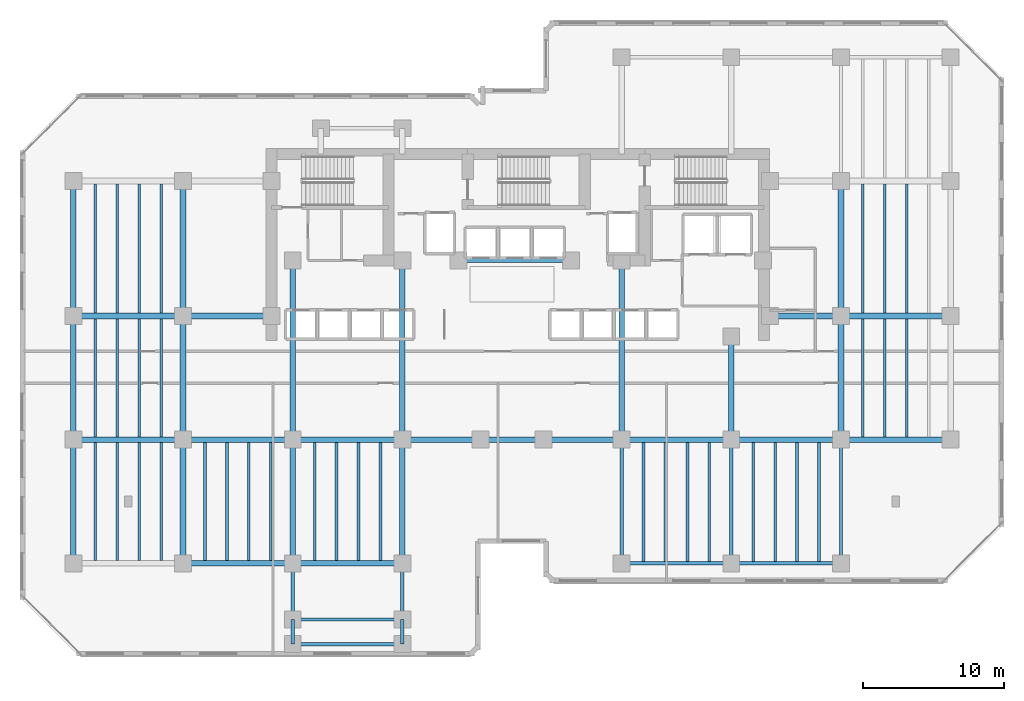
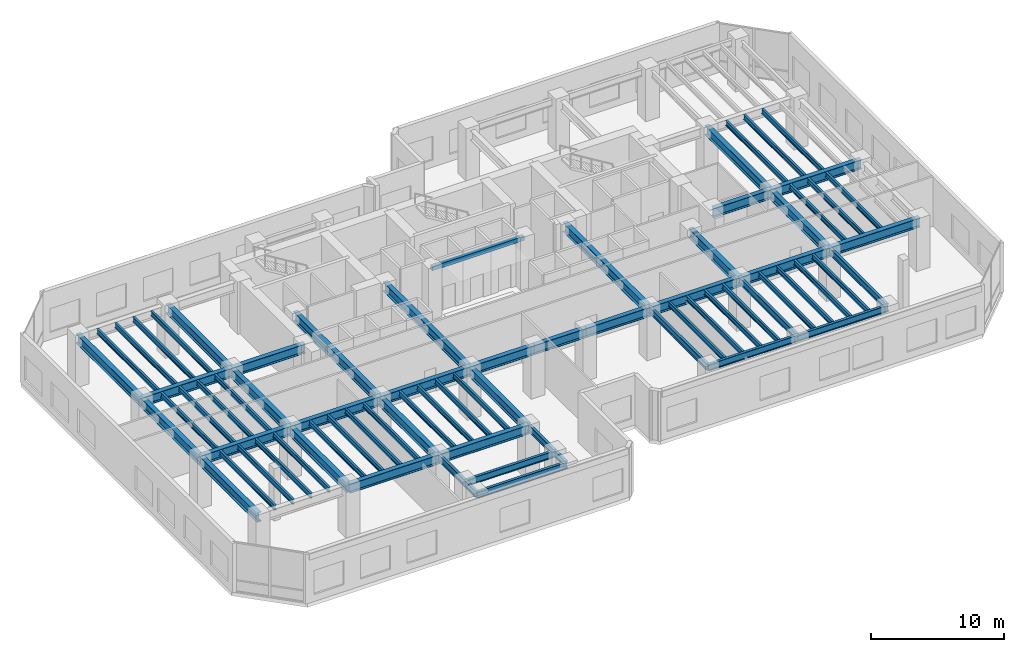
# One storey, part 3 of 17: 75 beams.
"""IFC4 building model written with IfcOpenShell, lengths in metres."""

from ifc_helpers import new_model, si_unit, direction, frame, origin, origin_2d, place, context, subcontext, project, spatial, rectangle, i_section, extrude, material, material_profile, profile_set, type_object, element, save


model = new_model("IFC4")

# Units and contexts
model_context = context("Model", 3, precision=1e-05, world=origin(), true_north=direction((0.0, 1.0)))
body_context = subcontext(model_context, "Body", "Model", "MODEL_VIEW")
ifc_project = project(units=[si_unit("LENGTHUNIT", "METRE"), si_unit("AREAUNIT", "SQUARE_METRE"), si_unit("VOLUMEUNIT", "CUBIC_METRE"), si_unit("PLANEANGLEUNIT", "RADIAN"), si_unit("MASSUNIT", "GRAM", prefix="KILO")], contexts=[model_context])

# Site, building, storey
site_placement = place(None, origin())
site = spatial("IfcSite", under=ifc_project, at=site_placement, CompositionType="ELEMENT")
building_placement = place(site_placement, origin())
building = spatial("IfcBuilding", under=site, at=building_placement, Name="Kestravale Grand Hotel", CompositionType="ELEMENT")
storey_placement = place(building_placement, frame((0.0, 0.0, 129.800048828125)))
storey = spatial("IfcBuildingStorey", under=building, at=storey_placement, Name="L32", CompositionType="ELEMENT", Elevation=129.800048828125)

# Beams
ifc_material_1 = material(Name="Steel ASTM A992 Grade 50", Category="steel")
ifc_material_profile_1 = material_profile(ifc_material_1, i_section(OverallWidth=0.19091796875, OverallDepth=0.45703125, WebThickness=0.009033203125, FlangeThickness=0.014404296875, FilletRadius=0.015380859375, at=origin_2d()))
ifc_profile_set_1 = profile_set([ifc_material_profile_1], Name="Steel ASTM A992 Grade 50")
beam_type_1 = type_object("IfcBeamType", Name="B-FLR-JST18", PredefinedType="JOIST", material=ifc_profile_set_1)
for number, where, z_axis, x_axis, name in (
    (1, (9.360107421875, 11.400390625, 4.281494140625), (0.0, 1.0, 0.0), (-1.0, 0.0, 0.0), "L32 floor joist 2-3/C-D #1"),
    (2, (10.919921875, 11.400390625, 4.281494140625), (0.0, 1.0, 0.0), (-1.0, 0.0, 0.0), "L32 floor joist 2-3/C-D #2"),
    (3, (12.47998046875, 11.400390625, 4.281494140625), (0.0, 1.0, 0.0), (-1.0, 0.0, 0.0), "L32 floor joist 2-3/C-D #3"),
    (4, (14.0400390625, 11.400390625, 4.281494140625), (0.0, 1.0, 0.0), (-1.0, 0.0, 0.0), "L32 floor joist 2-3/C-D #4"),
    (5, (9.360107421875, 20.200439453125, 4.281494140625), (0.0, 1.0, 0.0), (-1.0, 0.0, 0.0), "L32 floor joist 2-3/D-E #1"),
    (6, (10.919921875, 20.200439453125, 4.281494140625), (0.0, 1.0, 0.0), (-1.0, 0.0, 0.0), "L32 floor joist 2-3/D-E #2"),
    (7, (12.47998046875, 20.200439453125, 4.281494140625), (0.0, 1.0, 0.0), (-1.0, 0.0, 0.0), "L32 floor joist 2-3/D-E #3"),
    (8, (14.0400390625, 20.200439453125, 4.281494140625), (0.0, 1.0, 0.0), (-1.0, 0.0, 0.0), "L32 floor joist 2-3/D-E #4"),
):
    element("IfcBeam", number, at=place(storey_placement, frame(where, z_axis=z_axis, x_axis=x_axis)), inside=storey, type_object=beam_type_1, Name=name, PredefinedType="JOIST", context=body_context, shape_type="SweptSolid", body=[
        extrude(i_section(OverallWidth=0.19091796875, OverallDepth=0.45703125, WebThickness=0.009033203125, FlangeThickness=0.014404296875, FilletRadius=0.015380859375, at=origin_2d()), origin(), (0.0, 0.0, 1.0), 8.399169921875),
    ])
for number, where, z_axis, x_axis, name in (
    (9, (9.360107421875, 29.00048828125, 4.281494140625), (0.0, 1.0, 0.0), (-1.0, 0.0, 0.0), "L32 floor joist 2-3/E-F #1"),
    (10, (10.919921875, 29.00048828125, 4.281494140625), (0.0, 1.0, 0.0), (-1.0, 0.0, 0.0), "L32 floor joist 2-3/E-F #2"),
    (11, (12.47998046875, 29.00048828125, 4.281494140625), (0.0, 1.0, 0.0), (-1.0, 0.0, 0.0), "L32 floor joist 2-3/E-F #3"),
    (12, (14.0400390625, 29.00048828125, 4.281494140625), (0.0, 1.0, 0.0), (-1.0, 0.0, 0.0), "L32 floor joist 2-3/E-F #4"),
):
    element("IfcBeam", number, at=place(storey_placement, frame(where, z_axis=z_axis, x_axis=x_axis)), inside=storey, type_object=beam_type_1, Name=name, PredefinedType="JOIST", context=body_context, shape_type="SweptSolid", body=[
        extrude(i_section(OverallWidth=0.19091796875, OverallDepth=0.45703125, WebThickness=0.009033203125, FlangeThickness=0.014404296875, FilletRadius=0.015380859375, at=origin_2d()), origin(), (0.0, 0.0, 1.0), 9.198974609375),
    ])
for number, where, z_axis, x_axis, name in (
    (13, (17.159912109375, 11.400390625, 4.281494140625), (0.0, 1.0, 0.0), (-1.0, 0.0, 0.0), "L32 floor joist 3-4/C-D #1"),
    (14, (18.719970703125, 11.400390625, 4.281494140625), (0.0, 1.0, 0.0), (-1.0, 0.0, 0.0), "L32 floor joist 3-4/C-D #2"),
    (15, (20.280029296875, 11.400390625, 4.281494140625), (0.0, 1.0, 0.0), (-1.0, 0.0, 0.0), "L32 floor joist 3-4/C-D #3"),
    (16, (21.840087890625, 11.400390625, 4.281494140625), (0.0, 1.0, 0.0), (-1.0, 0.0, 0.0), "L32 floor joist 3-4/C-D #4"),
    (17, (24.9599609375, 11.400390625, 4.281494140625), (0.0, 1.0, 0.0), (-1.0, 0.0, 0.0), "L32 floor joist 4-5/C-D #1"),
    (18, (26.52001953125, 11.400390625, 4.281494140625), (0.0, 1.0, 0.0), (-1.0, 0.0, 0.0), "L32 floor joist 4-5/C-D #2"),
    (19, (28.080078125, 11.400390625, 4.281494140625), (0.0, 1.0, 0.0), (-1.0, 0.0, 0.0), "L32 floor joist 4-5/C-D #3"),
    (20, (29.639892578125, 11.400390625, 4.281494140625), (0.0, 1.0, 0.0), (-1.0, 0.0, 0.0), "L32 floor joist 4-5/C-D #4"),
):
    element("IfcBeam", number, at=place(storey_placement, frame(where, z_axis=z_axis, x_axis=x_axis)), inside=storey, type_object=beam_type_1, Name=name, PredefinedType="JOIST", context=body_context, shape_type="SweptSolid", body=[
        extrude(i_section(OverallWidth=0.19091796875, OverallDepth=0.45703125, WebThickness=0.009033203125, FlangeThickness=0.014404296875, FilletRadius=0.015380859375, at=origin_2d()), origin(), (0.0, 0.0, 1.0), 8.399169921875),
    ])
for number, where, z_axis, x_axis, name in (
    (21, (48.360107421875, 11.314453125, 4.281494140625), (0.0, 1.0, 0.0), (-1.0, 0.0, 0.0), "L32 floor joist 8-9/C-D #1"),
    (22, (49.919921875, 11.314453125, 4.281494140625), (0.0, 1.0, 0.0), (-1.0, 0.0, 0.0), "L32 floor joist 8-9/C-D #2"),
    (23, (51.47998046875, 11.314453125, 4.281494140625), (0.0, 1.0, 0.0), (-1.0, 0.0, 0.0), "L32 floor joist 8-9/C-D #3"),
    (24, (53.0400390625, 11.314453125, 4.281494140625), (0.0, 1.0, 0.0), (-1.0, 0.0, 0.0), "L32 floor joist 8-9/C-D #4"),
    (25, (56.159912109375, 11.314453125, 4.281494140625), (0.0, 1.0, 0.0), (-1.0, 0.0, 0.0), "L32 floor joist 9-10/C-D #1"),
    (26, (57.719970703125, 11.314453125, 4.281494140625), (0.0, 1.0, 0.0), (-1.0, 0.0, 0.0), "L32 floor joist 9-10/C-D #2"),
    (27, (59.280029296875, 11.314453125, 4.281494140625), (0.0, 1.0, 0.0), (-1.0, 0.0, 0.0), "L32 floor joist 9-10/C-D #3"),
    (28, (60.840087890625, 11.314453125, 4.281494140625), (0.0, 1.0, 0.0), (-1.0, 0.0, 0.0), "L32 floor joist 9-10/C-D #4"),
):
    element("IfcBeam", number, at=place(storey_placement, frame(where, z_axis=z_axis, x_axis=x_axis)), inside=storey, type_object=beam_type_1, Name=name, PredefinedType="JOIST", context=body_context, shape_type="SweptSolid", body=[
        extrude(i_section(OverallWidth=0.19091796875, OverallDepth=0.45703125, WebThickness=0.009033203125, FlangeThickness=0.014404296875, FilletRadius=0.015380859375, at=origin_2d()), origin(), (0.0, 0.0, 1.0), 8.485107421875),
    ])
for number, where, z_axis, x_axis, name in (
    (29, (63.9599609375, 20.200439453125, 4.281494140625), (0.0, 1.0, 0.0), (-1.0, 0.0, 0.0), "L32 floor joist 10-11/D-E #1"),
    (30, (65.52001953125, 20.200439453125, 4.281494140625), (0.0, 1.0, 0.0), (-1.0, 0.0, 0.0), "L32 floor joist 10-11/D-E #2"),
    (31, (67.080078125, 20.200439453125, 4.281494140625), (0.0, 1.0, 0.0), (-1.0, 0.0, 0.0), "L32 floor joist 10-11/D-E #3"),
):
    element("IfcBeam", number, at=place(storey_placement, frame(where, z_axis=z_axis, x_axis=x_axis)), inside=storey, type_object=beam_type_1, Name=name, PredefinedType="JOIST", context=body_context, shape_type="SweptSolid", body=[
        extrude(i_section(OverallWidth=0.19091796875, OverallDepth=0.45703125, WebThickness=0.009033203125, FlangeThickness=0.014404296875, FilletRadius=0.015380859375, at=origin_2d()), origin(), (0.0, 0.0, 1.0), 8.399169921875),
    ])
for number, where, z_axis, x_axis, name in (
    (32, (63.9599609375, 29.00048828125, 4.281494140625), (0.0, 1.0, 0.0), (-1.0, 0.0, 0.0), "L32 floor joist 10-11/E-F #1"),
    (33, (65.52001953125, 29.00048828125, 4.281494140625), (0.0, 1.0, 0.0), (-1.0, 0.0, 0.0), "L32 floor joist 10-11/E-F #2"),
    (34, (67.080078125, 29.00048828125, 4.281494140625), (0.0, 1.0, 0.0), (-1.0, 0.0, 0.0), "L32 floor joist 10-11/E-F #3"),
):
    element("IfcBeam", number, at=place(storey_placement, frame(where, z_axis=z_axis, x_axis=x_axis)), inside=storey, type_object=beam_type_1, Name=name, PredefinedType="JOIST", context=body_context, shape_type="SweptSolid", body=[
        extrude(i_section(OverallWidth=0.19091796875, OverallDepth=0.45703125, WebThickness=0.009033203125, FlangeThickness=0.014404296875, FilletRadius=0.015380859375, at=origin_2d()), origin(), (0.0, 0.0, 1.0), 9.198974609375),
    ])
ifc_material_2 = material(Name="Concrete f'c 45 MPa", Category="concrete")
ifc_material_profile_2 = material_profile(ifc_material_2, rectangle(XDim=0.300048828125, YDim=0.39990234375, at=origin_2d()))
ifc_profile_set_2 = profile_set([ifc_material_profile_2], Name="Concrete f'c 45 MPa")
beam_type_2 = type_object("IfcBeamType", Name="B-FLR-LNT400", PredefinedType="LINTEL", material=ifc_profile_set_2)
beam_1_placement = place(storey_placement, frame((35.199951171875, 32.75, 4.31005859375), z_axis=(1.0, 0.0, 0.0), x_axis=(0.0, 1.0, 0.0)))
element("IfcBeam", 35, at=beam_1_placement, inside=storey, type_object=beam_type_2, Name="L32 core portal header lintel", PredefinedType="LINTEL", context=body_context, shape_type="SweptSolid", body=[
    extrude(rectangle(XDim=0.300048828125, YDim=0.39990234375, at=origin_2d()), origin(), (0.0, 0.0, 1.0), 8.0),
])
ifc_material_3 = material(Name="Steel ASTM A992 Grade 50", Category="steel")
ifc_material_profile_3 = material_profile(ifc_material_3, i_section(OverallWidth=0.22900390625, OverallDepth=0.612060546875, WebThickness=0.011962890625, FlangeThickness=0.01953125, FilletRadius=0.019287109375, at=origin_2d()))
ifc_profile_set_3 = profile_set([ifc_material_profile_3], Name="Steel ASTM A992 Grade 50")
beam_type_3 = type_object("IfcBeamType", Name="B-FLR-W24B", PredefinedType="SPANDREL", material=ifc_profile_set_3)
beam_2_placement = place(storey_placement, frame((46.800048828125, 11.199951171875, 4.203857421875), z_axis=(1.0, 0.0, 0.0), x_axis=(0.0, 1.0, 0.0)))
element("IfcBeam", 36, at=beam_2_placement, inside=storey, type_object=beam_type_3, Name="L32 spandrel C:8-9", PredefinedType="SPANDREL", context=body_context, shape_type="SweptSolid", body=[
    extrude(i_section(OverallWidth=0.22900390625, OverallDepth=0.612060546875, WebThickness=0.011962890625, FlangeThickness=0.01953125, FilletRadius=0.019287109375, at=origin_2d()), origin(), (0.0, 0.0, 1.0), 7.800048828125),
])
beam_3_placement = place(storey_placement, frame((54.60009765625, 11.199951171875, 4.203857421875), z_axis=(1.0, 0.0, 0.0), x_axis=(0.0, 1.0, 0.0)))
element("IfcBeam", 37, at=beam_3_placement, inside=storey, type_object=beam_type_3, Name="L32 spandrel C:9-10", PredefinedType="SPANDREL", context=body_context, shape_type="SweptSolid", body=[
    extrude(i_section(OverallWidth=0.22900390625, OverallDepth=0.612060546875, WebThickness=0.011962890625, FlangeThickness=0.01953125, FilletRadius=0.019287109375, at=origin_2d()), origin(), (0.0, 0.0, 1.0), 7.7998046875),
])
for number, where, z_axis, x_axis, name in (
    (38, (23.39990234375, 5.449951171875, 4.203857421875), (1.0, 0.0, 0.0), (0.0, 1.0, 0.0), "L32 perimeter tie spandrel B1S:4-5"),
    (39, (23.39990234375, 7.199951171875, 4.203857421875), (1.0, 0.0, 0.0), (0.0, 1.0, 0.0), "L32 perimeter tie spandrel BS:4-5"),
):
    element("IfcBeam", number, at=place(storey_placement, frame(where, z_axis=z_axis, x_axis=x_axis)), inside=storey, type_object=beam_type_3, Name=name, PredefinedType="SPANDREL", context=body_context, shape_type="SweptSolid", body=[
        extrude(i_section(OverallWidth=0.22900390625, OverallDepth=0.612060546875, WebThickness=0.011962890625, FlangeThickness=0.01953125, FilletRadius=0.019287109375, at=origin_2d()), origin(), (0.0, 0.0, 1.0), 7.800048828125),
    ])
beam_4_placement = place(storey_placement, frame((23.39990234375, 5.449951171875, 4.203857421875), z_axis=(0.0, 1.0, 0.0), x_axis=(-1.0, 0.0, 0.0)))
element("IfcBeam", 40, at=beam_4_placement, inside=storey, type_object=beam_type_3, Name="L32 spandrel 4:B1S-BS", PredefinedType="SPANDREL", context=body_context, shape_type="SweptSolid", body=[
    extrude(i_section(OverallWidth=0.22900390625, OverallDepth=0.612060546875, WebThickness=0.011962890625, FlangeThickness=0.01953125, FilletRadius=0.019287109375, at=origin_2d()), origin(), (0.0, 0.0, 1.0), 1.75),
])
beam_5_placement = place(storey_placement, frame((23.39990234375, 7.199951171875, 4.203857421875), z_axis=(0.0, 1.0, 0.0), x_axis=(-1.0, 0.0, 0.0)))
element("IfcBeam", 41, at=beam_5_placement, inside=storey, type_object=beam_type_3, Name="L32 spandrel 4:BS-C", PredefinedType="SPANDREL", context=body_context, shape_type="SweptSolid", body=[
    extrude(i_section(OverallWidth=0.22900390625, OverallDepth=0.612060546875, WebThickness=0.011962890625, FlangeThickness=0.01953125, FilletRadius=0.019287109375, at=origin_2d()), origin(), (0.0, 0.0, 1.0), 4.0),
])
beam_6_placement = place(storey_placement, frame((31.199951171875, 5.449951171875, 4.203857421875), z_axis=(0.0, 1.0, 0.0), x_axis=(-1.0, 0.0, 0.0)))
element("IfcBeam", 42, at=beam_6_placement, inside=storey, type_object=beam_type_3, Name="L32 spandrel 5:B1S-BS", PredefinedType="SPANDREL", context=body_context, shape_type="SweptSolid", body=[
    extrude(i_section(OverallWidth=0.22900390625, OverallDepth=0.612060546875, WebThickness=0.011962890625, FlangeThickness=0.01953125, FilletRadius=0.019287109375, at=origin_2d()), origin(), (0.0, 0.0, 1.0), 1.75),
])
beam_7_placement = place(storey_placement, frame((31.199951171875, 7.199951171875, 4.203857421875), z_axis=(0.0, 1.0, 0.0), x_axis=(-1.0, 0.0, 0.0)))
element("IfcBeam", 43, at=beam_7_placement, inside=storey, type_object=beam_type_3, Name="L32 spandrel 5:BS-C", PredefinedType="SPANDREL", context=body_context, shape_type="SweptSolid", body=[
    extrude(i_section(OverallWidth=0.22900390625, OverallDepth=0.612060546875, WebThickness=0.011962890625, FlangeThickness=0.01953125, FilletRadius=0.019287109375, at=origin_2d()), origin(), (0.0, 0.0, 1.0), 4.0),
])
for number, where, z_axis, x_axis, name in (
    (44, (46.800048828125, 11.199951171875, 4.203857421875), (0.0, 1.0, 0.0), (-1.0, 0.0, 0.0), "L32 spandrel 8:C-D"),
    (45, (54.60009765625, 11.199951171875, 4.203857421875), (0.0, 1.0, 0.0), (-1.0, 0.0, 0.0), "L32 spandrel 9:C-D"),
    (46, (62.39990234375, 11.199951171875, 4.203857421875), (0.0, 1.0, 0.0), (-1.0, 0.0, 0.0), "L32 spandrel 10:C-D"),
):
    element("IfcBeam", number, at=place(storey_placement, frame(where, z_axis=z_axis, x_axis=x_axis)), inside=storey, type_object=beam_type_3, Name=name, PredefinedType="SPANDREL", context=body_context, shape_type="SweptSolid", body=[
        extrude(i_section(OverallWidth=0.22900390625, OverallDepth=0.612060546875, WebThickness=0.011962890625, FlangeThickness=0.01953125, FilletRadius=0.019287109375, at=origin_2d()), origin(), (0.0, 0.0, 1.0), 8.800048828125),
    ])
ifc_material_4 = material(Name="Steel ASTM A992 Grade 50", Category="steel")
ifc_material_profile_4 = material_profile(ifc_material_4, i_section(OverallWidth=0.40087890625, OverallDepth=0.861083984375, WebThickness=0.019775390625, FlangeThickness=0.032470703125, FilletRadius=0.0234375, at=origin_2d()))
ifc_profile_set_4 = profile_set([ifc_material_profile_4], Name="Steel ASTM A992 Grade 50")
beam_type_4 = type_object("IfcBeamType", Name="B-GRD-W33", PredefinedType="BEAM", material=ifc_profile_set_4)
beam_8_placement = place(storey_placement, frame((15.60009765625, 11.199951171875, 4.079345703125), z_axis=(1.0, 0.0, 0.0), x_axis=(0.0, 1.0, 0.0)))
element("IfcBeam", 47, at=beam_8_placement, inside=storey, type_object=beam_type_4, Name="L32 girder C:3-4", PredefinedType="BEAM", context=body_context, shape_type="SweptSolid", body=[
    extrude(i_section(OverallWidth=0.40087890625, OverallDepth=0.861083984375, WebThickness=0.019775390625, FlangeThickness=0.032470703125, FilletRadius=0.0234375, at=origin_2d()), origin(), (0.0, 0.0, 1.0), 7.7998046875),
])
for number, where, z_axis, x_axis, name in (
    (48, (23.39990234375, 11.199951171875, 4.079345703125), (1.0, 0.0, 0.0), (0.0, 1.0, 0.0), "L32 girder C:4-5"),
    (49, (7.800048828125, 20.0, 4.079345703125), (1.0, 0.0, 0.0), (0.0, 1.0, 0.0), "L32 girder D:2-3"),
):
    element("IfcBeam", number, at=place(storey_placement, frame(where, z_axis=z_axis, x_axis=x_axis)), inside=storey, type_object=beam_type_4, Name=name, PredefinedType="BEAM", context=body_context, shape_type="SweptSolid", body=[
        extrude(i_section(OverallWidth=0.40087890625, OverallDepth=0.861083984375, WebThickness=0.019775390625, FlangeThickness=0.032470703125, FilletRadius=0.0234375, at=origin_2d()), origin(), (0.0, 0.0, 1.0), 7.800048828125),
    ])
beam_9_placement = place(storey_placement, frame((15.60009765625, 20.0, 4.079345703125), z_axis=(1.0, 0.0, 0.0), x_axis=(0.0, 1.0, 0.0)))
element("IfcBeam", 50, at=beam_9_placement, inside=storey, type_object=beam_type_4, Name="L32 girder D:3-4", PredefinedType="BEAM", context=body_context, shape_type="SweptSolid", body=[
    extrude(i_section(OverallWidth=0.40087890625, OverallDepth=0.861083984375, WebThickness=0.019775390625, FlangeThickness=0.032470703125, FilletRadius=0.0234375, at=origin_2d()), origin(), (0.0, 0.0, 1.0), 7.7998046875),
])
beam_10_placement = place(storey_placement, frame((23.39990234375, 20.0, 4.079345703125), z_axis=(1.0, 0.0, 0.0), x_axis=(0.0, 1.0, 0.0)))
element("IfcBeam", 51, at=beam_10_placement, inside=storey, type_object=beam_type_4, Name="L32 girder D:4-5", PredefinedType="BEAM", context=body_context, shape_type="SweptSolid", body=[
    extrude(i_section(OverallWidth=0.40087890625, OverallDepth=0.861083984375, WebThickness=0.019775390625, FlangeThickness=0.032470703125, FilletRadius=0.0234375, at=origin_2d()), origin(), (0.0, 0.0, 1.0), 7.800048828125),
])
beam_11_placement = place(storey_placement, frame((31.199951171875, 20.0, 4.079345703125), z_axis=(1.0, 0.0, 0.0), x_axis=(0.0, 1.0, 0.0)))
element("IfcBeam", 52, at=beam_11_placement, inside=storey, type_object=beam_type_4, Name="L32 girder D:5-6", PredefinedType="BEAM", context=body_context, shape_type="SweptSolid", body=[
    extrude(i_section(OverallWidth=0.40087890625, OverallDepth=0.861083984375, WebThickness=0.019775390625, FlangeThickness=0.032470703125, FilletRadius=0.0234375, at=origin_2d()), origin(), (0.0, 0.0, 1.0), 5.550048828125),
])
beam_12_placement = place(storey_placement, frame((36.75, 20.0, 4.079345703125), z_axis=(1.0, 0.0, 0.0), x_axis=(0.0, 1.0, 0.0)))
element("IfcBeam", 53, at=beam_12_placement, inside=storey, type_object=beam_type_4, Name="L32 girder D:6-7", PredefinedType="BEAM", context=body_context, shape_type="SweptSolid", body=[
    extrude(i_section(OverallWidth=0.40087890625, OverallDepth=0.861083984375, WebThickness=0.019775390625, FlangeThickness=0.032470703125, FilletRadius=0.0234375, at=origin_2d()), origin(), (0.0, 0.0, 1.0), 4.5),
])
beam_13_placement = place(storey_placement, frame((41.25, 20.0, 4.079345703125), z_axis=(1.0, 0.0, 0.0), x_axis=(0.0, 1.0, 0.0)))
element("IfcBeam", 54, at=beam_13_placement, inside=storey, type_object=beam_type_4, Name="L32 girder D:7-8", PredefinedType="BEAM", context=body_context, shape_type="SweptSolid", body=[
    extrude(i_section(OverallWidth=0.40087890625, OverallDepth=0.861083984375, WebThickness=0.019775390625, FlangeThickness=0.032470703125, FilletRadius=0.0234375, at=origin_2d()), origin(), (0.0, 0.0, 1.0), 5.550048828125),
])
beam_14_placement = place(storey_placement, frame((46.800048828125, 20.0, 4.079345703125), z_axis=(1.0, 0.0, 0.0), x_axis=(0.0, 1.0, 0.0)))
element("IfcBeam", 55, at=beam_14_placement, inside=storey, type_object=beam_type_4, Name="L32 girder D:8-9", PredefinedType="BEAM", context=body_context, shape_type="SweptSolid", body=[
    extrude(i_section(OverallWidth=0.40087890625, OverallDepth=0.861083984375, WebThickness=0.019775390625, FlangeThickness=0.032470703125, FilletRadius=0.0234375, at=origin_2d()), origin(), (0.0, 0.0, 1.0), 7.800048828125),
])
beam_15_placement = place(storey_placement, frame((54.60009765625, 20.0, 4.079345703125), z_axis=(1.0, 0.0, 0.0), x_axis=(0.0, 1.0, 0.0)))
element("IfcBeam", 56, at=beam_15_placement, inside=storey, type_object=beam_type_4, Name="L32 girder D:9-10", PredefinedType="BEAM", context=body_context, shape_type="SweptSolid", body=[
    extrude(i_section(OverallWidth=0.40087890625, OverallDepth=0.861083984375, WebThickness=0.019775390625, FlangeThickness=0.032470703125, FilletRadius=0.0234375, at=origin_2d()), origin(), (0.0, 0.0, 1.0), 7.7998046875),
])
for number, where, z_axis, x_axis, name in (
    (57, (62.39990234375, 20.0, 4.079345703125), (1.0, 0.0, 0.0), (0.0, 1.0, 0.0), "L32 girder D:10-11"),
    (58, (7.800048828125, 28.800048828125, 4.079345703125), (1.0, 0.0, 0.0), (0.0, 1.0, 0.0), "L32 girder E:2-3"),
):
    element("IfcBeam", number, at=place(storey_placement, frame(where, z_axis=z_axis, x_axis=x_axis)), inside=storey, type_object=beam_type_4, Name=name, PredefinedType="BEAM", context=body_context, shape_type="SweptSolid", body=[
        extrude(i_section(OverallWidth=0.40087890625, OverallDepth=0.861083984375, WebThickness=0.019775390625, FlangeThickness=0.032470703125, FilletRadius=0.0234375, at=origin_2d()), origin(), (0.0, 0.0, 1.0), 7.800048828125),
    ])
beam_16_placement = place(storey_placement, frame((15.60009765625, 28.800048828125, 4.079345703125), z_axis=(1.0, 0.0, 0.0), x_axis=(0.0, 1.0, 0.0)))
element("IfcBeam", 59, at=beam_16_placement, inside=storey, type_object=beam_type_4, Name="L32 girder E:3-CW", PredefinedType="BEAM", context=body_context, shape_type="SweptSolid", body=[
    extrude(i_section(OverallWidth=0.40087890625, OverallDepth=0.861083984375, WebThickness=0.019775390625, FlangeThickness=0.032470703125, FilletRadius=0.0234375, at=origin_2d()), origin(), (0.0, 0.0, 1.0), 6.2998046875),
])
beam_17_placement = place(storey_placement, frame((57.35009765625, 28.800048828125, 4.079345703125), z_axis=(1.0, 0.0, 0.0), x_axis=(0.0, 1.0, 0.0)))
element("IfcBeam", 60, at=beam_17_placement, inside=storey, type_object=beam_type_4, Name="L32 girder E:CE-10", PredefinedType="BEAM", context=body_context, shape_type="SweptSolid", body=[
    extrude(i_section(OverallWidth=0.40087890625, OverallDepth=0.861083984375, WebThickness=0.019775390625, FlangeThickness=0.032470703125, FilletRadius=0.0234375, at=origin_2d()), origin(), (0.0, 0.0, 1.0), 5.0498046875),
])
beam_18_placement = place(storey_placement, frame((62.39990234375, 28.800048828125, 4.079345703125), z_axis=(1.0, 0.0, 0.0), x_axis=(0.0, 1.0, 0.0)))
element("IfcBeam", 61, at=beam_18_placement, inside=storey, type_object=beam_type_4, Name="L32 girder E:10-11", PredefinedType="BEAM", context=body_context, shape_type="SweptSolid", body=[
    extrude(i_section(OverallWidth=0.40087890625, OverallDepth=0.861083984375, WebThickness=0.019775390625, FlangeThickness=0.032470703125, FilletRadius=0.0234375, at=origin_2d()), origin(), (0.0, 0.0, 1.0), 7.800048828125),
])
for number, where, z_axis, x_axis, name in (
    (62, (7.800048828125, 11.199951171875, 4.079345703125), (0.0, 1.0, 0.0), (-1.0, 0.0, 0.0), "L32 girder 2:C-D"),
    (63, (7.800048828125, 20.0, 4.079345703125), (0.0, 1.0, 0.0), (-1.0, 0.0, 0.0), "L32 girder 2:D-E"),
):
    element("IfcBeam", number, at=place(storey_placement, frame(where, z_axis=z_axis, x_axis=x_axis)), inside=storey, type_object=beam_type_4, Name=name, PredefinedType="BEAM", context=body_context, shape_type="SweptSolid", body=[
        extrude(i_section(OverallWidth=0.40087890625, OverallDepth=0.861083984375, WebThickness=0.019775390625, FlangeThickness=0.032470703125, FilletRadius=0.0234375, at=origin_2d()), origin(), (0.0, 0.0, 1.0), 8.800048828125),
    ])
beam_19_placement = place(storey_placement, frame((7.800048828125, 28.800048828125, 4.079345703125), z_axis=(0.0, 1.0, 0.0), x_axis=(-1.0, 0.0, 0.0)))
element("IfcBeam", 64, at=beam_19_placement, inside=storey, type_object=beam_type_4, Name="L32 girder 2:E-F", PredefinedType="BEAM", context=body_context, shape_type="SweptSolid", body=[
    extrude(i_section(OverallWidth=0.40087890625, OverallDepth=0.861083984375, WebThickness=0.019775390625, FlangeThickness=0.032470703125, FilletRadius=0.0234375, at=origin_2d()), origin(), (0.0, 0.0, 1.0), 9.599853515625),
])
for number, where, z_axis, x_axis, name in (
    (65, (15.60009765625, 11.199951171875, 4.079345703125), (0.0, 1.0, 0.0), (-1.0, 0.0, 0.0), "L32 girder 3:C-D"),
    (66, (15.60009765625, 20.0, 4.079345703125), (0.0, 1.0, 0.0), (-1.0, 0.0, 0.0), "L32 girder 3:D-E"),
):
    element("IfcBeam", number, at=place(storey_placement, frame(where, z_axis=z_axis, x_axis=x_axis)), inside=storey, type_object=beam_type_4, Name=name, PredefinedType="BEAM", context=body_context, shape_type="SweptSolid", body=[
        extrude(i_section(OverallWidth=0.40087890625, OverallDepth=0.861083984375, WebThickness=0.019775390625, FlangeThickness=0.032470703125, FilletRadius=0.0234375, at=origin_2d()), origin(), (0.0, 0.0, 1.0), 8.800048828125),
    ])
beam_20_placement = place(storey_placement, frame((15.60009765625, 28.800048828125, 4.079345703125), z_axis=(0.0, 1.0, 0.0), x_axis=(-1.0, 0.0, 0.0)))
element("IfcBeam", 67, at=beam_20_placement, inside=storey, type_object=beam_type_4, Name="L32 girder 3:E-F", PredefinedType="BEAM", context=body_context, shape_type="SweptSolid", body=[
    extrude(i_section(OverallWidth=0.40087890625, OverallDepth=0.861083984375, WebThickness=0.019775390625, FlangeThickness=0.032470703125, FilletRadius=0.0234375, at=origin_2d()), origin(), (0.0, 0.0, 1.0), 9.599853515625),
])
beam_21_placement = place(storey_placement, frame((23.39990234375, 11.199951171875, 4.079345703125), z_axis=(0.0, 1.0, 0.0), x_axis=(-1.0, 0.0, 0.0)))
element("IfcBeam", 68, at=beam_21_placement, inside=storey, type_object=beam_type_4, Name="L32 girder 4:C-D", PredefinedType="BEAM", context=body_context, shape_type="SweptSolid", body=[
    extrude(i_section(OverallWidth=0.40087890625, OverallDepth=0.861083984375, WebThickness=0.019775390625, FlangeThickness=0.032470703125, FilletRadius=0.0234375, at=origin_2d()), origin(), (0.0, 0.0, 1.0), 8.800048828125),
])
beam_22_placement = place(storey_placement, frame((23.39990234375, 20.0, 4.079345703125), z_axis=(0.0, 1.0, 0.0), x_axis=(-1.0, 0.0, 0.0)))
element("IfcBeam", 69, at=beam_22_placement, inside=storey, type_object=beam_type_4, Name="L32 girder 4:D-CS", PredefinedType="BEAM", context=body_context, shape_type="SweptSolid", body=[
    extrude(i_section(OverallWidth=0.40087890625, OverallDepth=0.861083984375, WebThickness=0.019775390625, FlangeThickness=0.032470703125, FilletRadius=0.0234375, at=origin_2d()), origin(), (0.0, 0.0, 1.0), 12.75),
])
beam_23_placement = place(storey_placement, frame((31.199951171875, 11.199951171875, 4.079345703125), z_axis=(0.0, 1.0, 0.0), x_axis=(-1.0, 0.0, 0.0)))
element("IfcBeam", 70, at=beam_23_placement, inside=storey, type_object=beam_type_4, Name="L32 girder 5:C-D", PredefinedType="BEAM", context=body_context, shape_type="SweptSolid", body=[
    extrude(i_section(OverallWidth=0.40087890625, OverallDepth=0.861083984375, WebThickness=0.019775390625, FlangeThickness=0.032470703125, FilletRadius=0.0234375, at=origin_2d()), origin(), (0.0, 0.0, 1.0), 8.800048828125),
])
for number, where, z_axis, x_axis, name in (
    (71, (31.199951171875, 20.0, 4.079345703125), (0.0, 1.0, 0.0), (-1.0, 0.0, 0.0), "L32 girder 5:D-CS"),
    (72, (46.800048828125, 20.0, 4.079345703125), (0.0, 1.0, 0.0), (-1.0, 0.0, 0.0), "L32 girder 8:D-CS"),
):
    element("IfcBeam", number, at=place(storey_placement, frame(where, z_axis=z_axis, x_axis=x_axis)), inside=storey, type_object=beam_type_4, Name=name, PredefinedType="BEAM", context=body_context, shape_type="SweptSolid", body=[
        extrude(i_section(OverallWidth=0.40087890625, OverallDepth=0.861083984375, WebThickness=0.019775390625, FlangeThickness=0.032470703125, FilletRadius=0.0234375, at=origin_2d()), origin(), (0.0, 0.0, 1.0), 12.75),
    ])
beam_24_placement = place(storey_placement, frame((54.60009765625, 20.0, 4.079345703125), z_axis=(0.0, 1.0, 0.0), x_axis=(-1.0, 0.0, 0.0)))
element("IfcBeam", 73, at=beam_24_placement, inside=storey, type_object=beam_type_4, Name="L32 girder 9:D-CS", PredefinedType="BEAM", context=body_context, shape_type="SweptSolid", body=[
    extrude(i_section(OverallWidth=0.40087890625, OverallDepth=0.861083984375, WebThickness=0.019775390625, FlangeThickness=0.032470703125, FilletRadius=0.0234375, at=origin_2d()), origin(), (0.0, 0.0, 1.0), 7.35009765625),
])
beam_25_placement = place(storey_placement, frame((62.39990234375, 20.0, 4.079345703125), z_axis=(0.0, 1.0, 0.0), x_axis=(-1.0, 0.0, 0.0)))
element("IfcBeam", 74, at=beam_25_placement, inside=storey, type_object=beam_type_4, Name="L32 girder 10:D-E", PredefinedType="BEAM", context=body_context, shape_type="SweptSolid", body=[
    extrude(i_section(OverallWidth=0.40087890625, OverallDepth=0.861083984375, WebThickness=0.019775390625, FlangeThickness=0.032470703125, FilletRadius=0.0234375, at=origin_2d()), origin(), (0.0, 0.0, 1.0), 8.800048828125),
])
beam_26_placement = place(storey_placement, frame((62.39990234375, 28.800048828125, 4.079345703125), z_axis=(0.0, 1.0, 0.0), x_axis=(-1.0, 0.0, 0.0)))
element("IfcBeam", 75, at=beam_26_placement, inside=storey, type_object=beam_type_4, Name="L32 girder 10:E-F", PredefinedType="BEAM", context=body_context, shape_type="SweptSolid", body=[
    extrude(i_section(OverallWidth=0.40087890625, OverallDepth=0.861083984375, WebThickness=0.019775390625, FlangeThickness=0.032470703125, FilletRadius=0.0234375, at=origin_2d()), origin(), (0.0, 0.0, 1.0), 9.599853515625),
])

save(model, "model.ifc")
